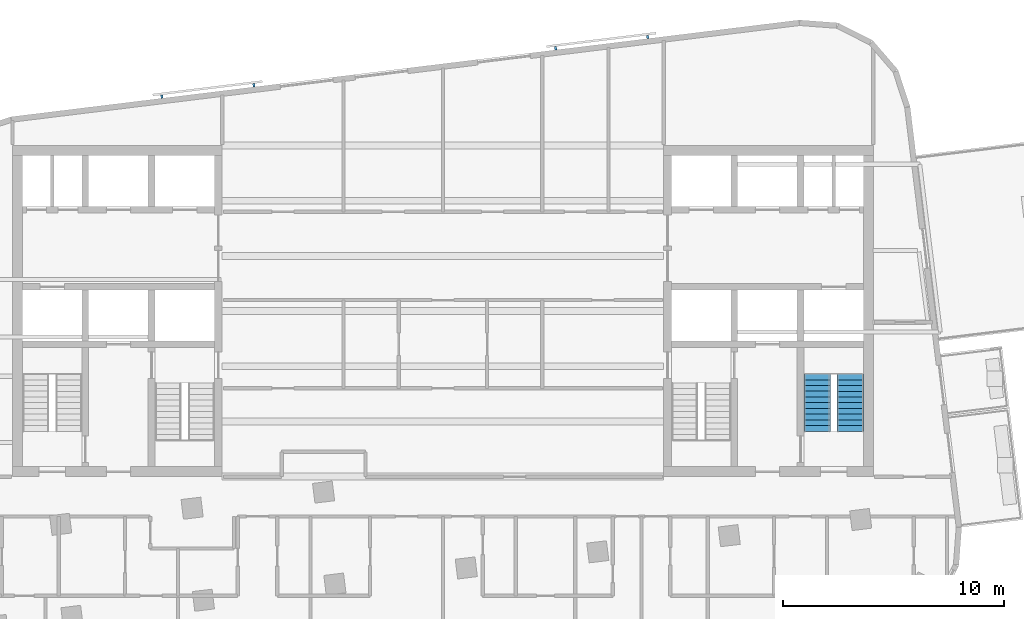
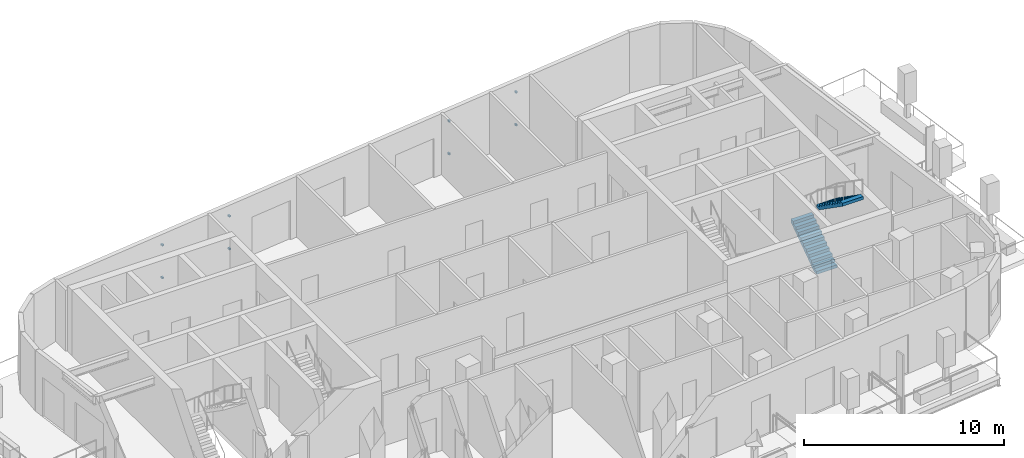
# One storey, part 8 of 11: 8 discrete accessories, 2 stair flights, 1 element without a shape of its own.
"""IFC4 building model written with IfcOpenShell, lengths in metres."""

from ifc_helpers import new_model, si_unit, direction, frame, origin, origin_2d, place, context, subcontext, project, spatial, polyline, rectangle, outline, extrude, material, type_object, element, aggregate, save


model = new_model("IFC4")

# Units and contexts
model_context = context("Model", 3, precision=1e-05, world=origin(), true_north=direction((0.0, 1.0)))
body_context = subcontext(model_context, "Body", "Model", "MODEL_VIEW")
ifc_project = project(units=[si_unit("LENGTHUNIT", "METRE"), si_unit("AREAUNIT", "SQUARE_METRE"), si_unit("VOLUMEUNIT", "CUBIC_METRE"), si_unit("PLANEANGLEUNIT", "RADIAN"), si_unit("MASSUNIT", "GRAM", prefix="KILO")], contexts=[model_context])

# Site, building, storey
site_placement = place(None, origin())
site = spatial("IfcSite", under=ifc_project, at=site_placement, CompositionType="ELEMENT")
building_placement = place(site_placement, origin())
building = spatial("IfcBuilding", under=site, at=building_placement, Name="Torana Hotel and Residences", CompositionType="ELEMENT")
storey_placement = place(building_placement, frame((0.0, 0.0, 330.60009765625)))
storey = spatial("IfcBuildingStorey", under=building, at=storey_placement, Name="L87", CompositionType="ELEMENT", Elevation=330.60009765625)

# Stair, stair flights
ifc_material_1 = material(Name="Concrete C40/50 precast", Category="concrete")
stair_type = type_object("IfcStairType", Name="STAIR ST4 HALF TURN 1200", PredefinedType="HALF_TURN_STAIR", material=ifc_material_1)
stair_placement = place(storey_placement, origin())
stair = element("IfcStair", 1, at=stair_placement, inside=storey, type_object=stair_type, Name="Stair ST4 L87", PredefinedType="HALF_TURN_STAIR")
ifc_material_2 = material(Name="Concrete C40/50 precast", Category="concrete")
stair_flight_type = type_object("IfcStairFlightType", Name="STAIR FLIGHT 1200 PRECAST", PredefinedType="STRAIGHT", material=ifc_material_2)
stair_flight_1_placement = place(storey_placement, frame((16.949951171875, -12.949951171875, 0.0), z_axis=(0.0, 0.0, 1.0), x_axis=(0.0, 1.0, 0.0)))
stair_flight_1 = element("IfcStairFlight", 2, at=stair_flight_1_placement, type_object=stair_flight_type, Name="ST4 flight 1", NumberOfRisers=11, NumberOfTreads=10, PredefinedType="STRAIGHT", RiserHeight=0.181818182, TreadLength=0.26, context=body_context, shape_type="SweptSolid", body=[
    extrude(outline(polyline([(0.0, 0.0), (0.0, 0.181884765625), (0.260009765625, 0.181884765625), (0.260009765625, 0.363525390625), (0.52001953125, 0.363525390625), (0.52001953125, 0.54541015625), (0.780029296875, 0.54541015625), (0.780029296875, 0.727294921875), (1.0400390625, 0.727294921875), (1.0400390625, 0.9091796875), (1.300048828125, 0.9091796875), (1.300048828125, 1.0908203125), (1.56005859375, 1.0908203125), (1.56005859375, 1.272705078125), (1.820068359375, 1.272705078125), (1.820068359375, 1.45458984375), (2.080078125, 1.45458984375), (2.080078125, 1.636474609375), (2.340087890625, 1.636474609375), (2.340087890625, 1.818115234375), (2.60009765625, 1.818115234375), (2.60009765625, 2.0), (2.60009765625, 1.63525390625), (0.261474609375, 0.0), (0.0, 0.0)])), frame((0.0, 0.60009765625, 0.0), z_axis=(0.0, -1.0, 0.0), x_axis=(1.0, 0.0, 0.0)), (0.0, 0.0, 1.0), 1.199951171875),
])
stair_flight_2_placement = place(storey_placement, frame((18.449951171875, -10.35009765625, 2.0), z_axis=(0.0, 0.0, 1.0), x_axis=(0.0, -1.0, 0.0)))
stair_flight_2 = element("IfcStairFlight", 3, at=stair_flight_2_placement, type_object=stair_flight_type, Name="ST4 flight 2", NumberOfRisers=11, NumberOfTreads=10, PredefinedType="STRAIGHT", RiserHeight=0.181818182, TreadLength=0.26, context=body_context, shape_type="SweptSolid", body=[
    extrude(outline(polyline([(0.0, 0.0), (0.0, 0.181884765625), (0.260009765625, 0.181884765625), (0.260009765625, 0.363525390625), (0.52001953125, 0.363525390625), (0.52001953125, 0.54541015625), (0.780029296875, 0.54541015625), (0.780029296875, 0.727294921875), (1.0400390625, 0.727294921875), (1.0400390625, 0.9091796875), (1.300048828125, 0.9091796875), (1.300048828125, 1.0908203125), (1.56005859375, 1.0908203125), (1.56005859375, 1.272705078125), (1.820068359375, 1.272705078125), (1.820068359375, 1.45458984375), (2.080078125, 1.45458984375), (2.080078125, 1.636474609375), (2.340087890625, 1.636474609375), (2.340087890625, 1.818115234375), (2.60009765625, 1.818115234375), (2.60009765625, 2.0), (2.60009765625, 1.63525390625), (0.261474609375, 0.0), (0.0, 0.0)])), frame((0.0, 0.60009765625, 0.0), z_axis=(0.0, -1.0, 0.0), x_axis=(1.0, 0.0, 0.0)), (0.0, 0.0, 1.0), 1.199951171875),
])
aggregate(stair, [stair_flight_1, stair_flight_2])

# Discrete accessories
ifc_material_3 = material(Name="Steel S355", Category="steel")
discrete_accessory_type = type_object("IfcDiscreteAccessoryType", Name="SCREEN BRACKET 100", PredefinedType="BRACKET", material=ifc_material_3)
for number, where, z_axis, x_axis, name in (
    (4, (9.277587890625, 4.920654296875, 0.749755859375), (0.0, 0.0, 1.0), (-0.99254657704, -0.121865878765, 0.0), "Screen bracket L87"),
    (5, (9.277587890625, 4.920654296875, 2.749755859375), (0.0, 0.0, 1.0), (-0.99254657704, -0.121865878765, 0.0), "Screen bracket L87"),
    (6, (5.10888671875, 4.40869140625, 0.749755859375), (0.0, 0.0, 1.0), (-0.99254657704, -0.121865878765, 0.0), "Screen bracket L87"),
    (7, (5.10888671875, 4.40869140625, 2.749755859375), (0.0, 0.0, 1.0), (-0.99254657704, -0.121865878765, 0.0), "Screen bracket L87"),
    (8, (-8.563720703125, 2.72998046875, 0.749755859375), (0.0, 0.0, 1.0), (-0.99254657704, -0.121865878765, 0.0), "Screen bracket L87"),
    (9, (-8.563720703125, 2.72998046875, 2.749755859375), (0.0, 0.0, 1.0), (-0.99254657704, -0.121865878765, 0.0), "Screen bracket L87"),
    (10, (-12.732421875, 2.218017578125, 0.749755859375), (0.0, 0.0, 1.0), (-0.99254657704, -0.121865878765, 0.0), "Screen bracket L87"),
    (11, (-12.732421875, 2.218017578125, 2.749755859375), (0.0, 0.0, 1.0), (-0.99254657704, -0.121865878765, 0.0), "Screen bracket L87"),
):
    element("IfcDiscreteAccessory", number, at=place(storey_placement, frame(where, z_axis=z_axis, x_axis=x_axis)), inside=storey, type_object=discrete_accessory_type, Name=name, PredefinedType="BRACKET", context=body_context, shape_type="SweptSolid", body=[
        extrude(rectangle(XDim=0.10009765625, YDim=0.14990234375, at=origin_2d()), origin(), (0.0, 0.0, 1.0), 0.10009765625),
    ])

save(model, "model.ifc")
